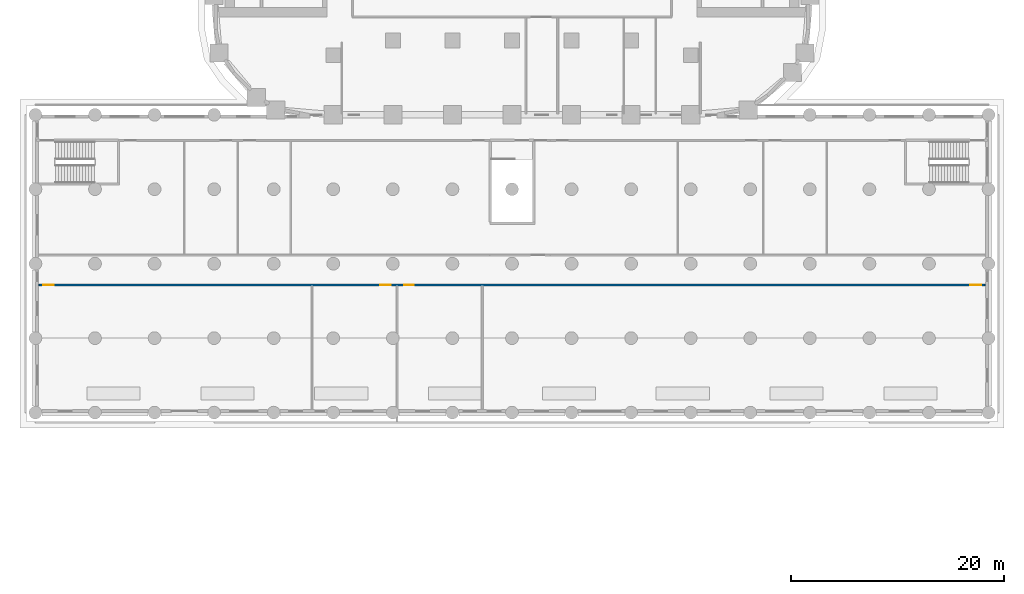
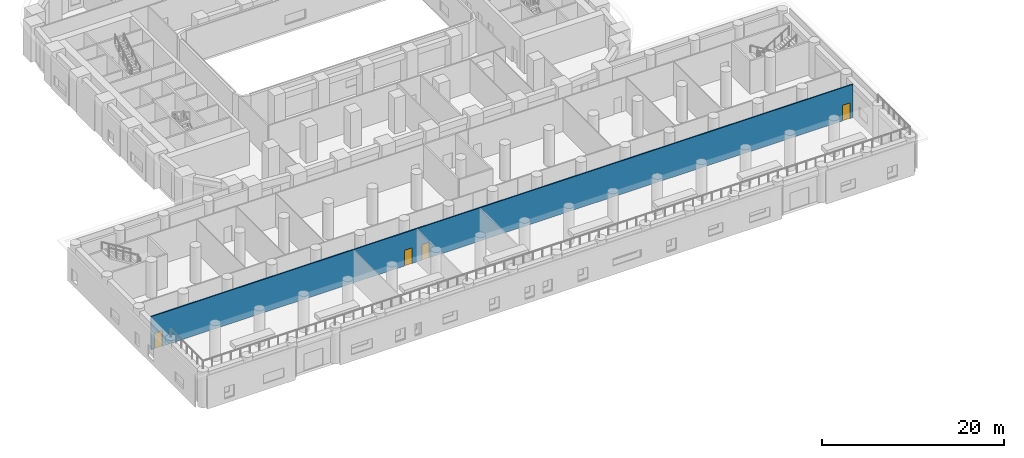
# One storey, part 7 of 24: 4 doors, 1 wall, 4 openings.
"""IFC4 building model written with IfcOpenShell, lengths in metres."""

import ifcopenshell
import ifcopenshell.guid

model = None  # the IFC model being written
_history = None  # IfcOwnerHistory: only IFC2X3 demands one
_inside = {}  # id of a spatial element -> (the spatial element, [elements in it])
_under = {}  # id of a project, library or spatial element -> (it, [spatial elements below it])
_declared = {}  # id of a project -> (the project, [libraries it declares])
_typed = {}  # id of a type object -> (the type object, [elements of that type])
_made_of = {}  # id of a material, layer set ... -> (it, [elements and type objects made of it])


def new_model(schema):
    """Start an empty IFC model of exactly this schema.

    Asked for "IFC4X3", IfcOpenShell would pick the latest addendum, in which some entities
    have other attributes; the version numbers below select the first issue.
    IFC2X3 requires an IfcOwnerHistory on every rooted entity: one is made here for all.
    """
    global model, _history
    if schema == "IFC4X3":
        model = ifcopenshell.file(schema_version=(4, 3, 0, 0))
    else:
        model = ifcopenshell.file(schema=schema)
    _inside.clear()
    _under.clear()
    _declared.clear()
    _typed.clear()
    _made_of.clear()
    _history = None
    if model.schema == "IFC2X3":
        org = make("IfcOrganization", Name="unknown")
        user = make(
            "IfcPersonAndOrganization",
            ThePerson=make("IfcPerson", FamilyName="unknown"),
            TheOrganization=org,
        )
        app = make(
            "IfcApplication",
            ApplicationDeveloper=org,
            Version="unknown",
            ApplicationFullName="unknown",
            ApplicationIdentifier="unknown",
        )
        _history = make(
            "IfcOwnerHistory",
            OwningUser=user,
            OwningApplication=app,
            ChangeAction="ADDED",
            CreationDate=0,
        )
    return model


def make(cls, **values):
    """One entity of the class cls with the attributes given. An attribute that is None is left unset."""
    return model.create_entity(
        cls, **{name: value for name, value in values.items() if value is not None}
    )


def rooted(cls, **values):
    """An entity with a GlobalId (a new one), such as an element, a storey or a relation."""
    return make(cls, GlobalId=ifcopenshell.guid.new(), OwnerHistory=_history, **values)


def si_unit(unit_type, name, prefix=None):
    """IfcSIUnit, for example si_unit("LENGTHUNIT", "METRE", prefix="MILLI")."""
    return make("IfcSIUnit", UnitType=unit_type, Prefix=prefix, Name=name)


def assignment(units):
    """IfcUnitAssignment: the units of a project."""
    return None if units is None else make("IfcUnitAssignment", Units=units)


def point(xyz):
    """IfcCartesianPoint."""
    return None if xyz is None else make("IfcCartesianPoint", Coordinates=xyz)


def direction(xyz):
    """IfcDirection."""
    return None if xyz is None else make("IfcDirection", DirectionRatios=xyz)


def frame(location, z_axis=None, x_axis=None):
    """IfcAxis2Placement3D, a coordinate frame: its origin and axes. An axis left out is left unset."""
    return make(
        "IfcAxis2Placement3D",
        Location=point(location),
        Axis=direction(z_axis),
        RefDirection=direction(x_axis),
    )


def frame_2d(location, x_axis=None):
    """IfcAxis2Placement2D, a coordinate frame in the plane: its origin and x axis."""
    return make(
        "IfcAxis2Placement2D", Location=point(location), RefDirection=direction(x_axis)
    )


def origin():
    """The frame at (0, 0, 0) with its axes left unset."""
    return frame((0.0, 0.0, 0.0))


def place(relative_to, where):
    """IfcLocalPlacement: puts the frame where relative to a parent placement (None: the world)."""
    return make(
        "IfcLocalPlacement", PlacementRelTo=relative_to, RelativePlacement=where
    )


def context(
    kind, dimensions, precision=None, world=None, true_north=None, identifier=None
):
    """IfcGeometricRepresentationContext, for example the 3D "Model" context."""
    return make(
        "IfcGeometricRepresentationContext",
        ContextIdentifier=identifier,
        ContextType=kind,
        CoordinateSpaceDimension=dimensions,
        Precision=precision,
        WorldCoordinateSystem=world,
        TrueNorth=true_north,
    )


def subcontext(parent, identifier, kind, view, scale=None):
    """IfcGeometricRepresentationSubContext, for example "Body" below "Model"."""
    return make(
        "IfcGeometricRepresentationSubContext",
        ContextIdentifier=identifier,
        ContextType=kind,
        ParentContext=parent,
        TargetScale=scale,
        TargetView=view,
    )


def project(units=None, contexts=None):
    """IfcProject with its units and contexts."""
    return rooted(
        "IfcProject",
        Name="project",
        RepresentationContexts=contexts,
        UnitsInContext=assignment(units),
    )


def spatial(cls, under=None, at=None, **own):
    """A site, building, storey or space (cls), placed at a placement, below another one or the project."""
    s = rooted(cls, ObjectPlacement=at, **own)
    if under is not None:
        _under.setdefault(under.id(), (under, []))[1].append(s)
    return s


def profile(cls, at=None, kind="AREA", **sizes):
    """A parametric profile (cls). Its sizes go by their IFC names, for example OverallWidth=200.0."""
    return make(cls, ProfileType=kind, Position=at, **sizes)


def rectangle(**sizes):
    """IfcRectangleProfileDef."""
    return profile("IfcRectangleProfileDef", **sizes)


def extrude(swept, where, along, depth):
    """IfcExtrudedAreaSolid: the profile swept, set in the frame where, extruded along a direction by depth."""
    return make(
        "IfcExtrudedAreaSolid",
        SweptArea=swept,
        Position=where,
        ExtrudedDirection=direction(along),
        Depth=depth,
    )


def shape(context_of_items, identifier, shape_type, items):
    """IfcShapeRepresentation: the items that make up one representation, for example the "Body"."""
    return make(
        "IfcShapeRepresentation",
        ContextOfItems=context_of_items,
        RepresentationIdentifier=identifier,
        RepresentationType=shape_type,
        Items=items,
    )


def material(Name=None, Category=None):
    """IfcMaterial."""
    return make("IfcMaterial", Name=Name, Category=Category)


def layer(
    of_material, thickness, ventilated=None, Name=None, Category=None, Priority=None
):
    """IfcMaterialLayer: one layer of a wall or slab, of a material (None: an air gap)."""
    return make(
        "IfcMaterialLayer",
        Material=of_material,
        LayerThickness=thickness,
        IsVentilated=ventilated,
        Name=Name,
        Category=Category,
        Priority=Priority,
    )


def layer_set(layers, Name=None):
    """IfcMaterialLayerSet."""
    return make("IfcMaterialLayerSet", MaterialLayers=layers, LayerSetName=Name)


def made_of(thing, what):
    """Note that an element or type object is made of a material, layer set ...; save() writes the relation."""
    if what is not None:
        _made_of.setdefault(what.id(), (what, []))[1].append(thing)
    return thing


def type_object(cls, material=None, **own):
    """A type object (cls), such as IfcWallType, which elements share."""
    return made_of(rooted(cls, **own), material)


def element(
    cls,
    number,
    at=None,
    inside=None,
    cuts=None,
    type_object=None,
    material=None,
    context=None,
    identifier="Body",
    shape_type=None,
    held_by="IfcProductDefinitionShape",
    body=None,
    shapes=None,
    **own,
):
    """One element of the class cls, such as IfcWall. Its Tag is "e" and its number.

    at: its placement. inside: the storey or other place that contains it. cuts: it is an
    opening in that element (IfcRelVoidsElement). A single representation is given by context,
    identifier, shape_type and body (its items); several are given by shapes. held_by: the class
    of the entity that holds the representations. save() writes the other relations.
    """
    e = rooted(cls, Tag="e%d" % number, ObjectPlacement=at, **own)
    if body is not None:
        shapes = [shape(context, identifier, shape_type, body)]
    if shapes is not None:
        e.Representation = make(held_by, Representations=shapes)
    if inside is not None:
        _inside.setdefault(inside.id(), (inside, []))[1].append(e)
    if cuts is not None:
        rooted(
            "IfcRelVoidsElement", RelatingBuildingElement=cuts, RelatedOpeningElement=e
        )
    if type_object is not None:
        _typed.setdefault(type_object.id(), (type_object, []))[1].append(e)
    return made_of(e, material)


def fill(opening, filler):
    """IfcRelFillsElement: the door or window that sits in an opening."""
    return rooted(
        "IfcRelFillsElement",
        RelatingOpeningElement=opening,
        RelatedBuildingElement=filler,
    )


def aggregate(whole, parts):
    """IfcRelAggregates: a whole, such as a stair, and the parts it consists of."""
    return rooted("IfcRelAggregates", RelatingObject=whole, RelatedObjects=parts)


def save(model, path):
    """Write the relations noted so far, then the file.

    IfcRelAggregates (storeys below a building ...), IfcRelContainedInSpatialStructure (elements
    in a storey), IfcRelDefinesByType, IfcRelAssociatesMaterial and IfcRelDeclares: one each for
    every whole, place, type object, material and project.
    """
    for whole, parts in _under.values():
        aggregate(whole, parts)
    for where, things in _inside.values():
        rooted(
            "IfcRelContainedInSpatialStructure",
            RelatedElements=things,
            RelatingStructure=where,
        )
    for kind, things in _typed.values():
        rooted("IfcRelDefinesByType", RelatedObjects=things, RelatingType=kind)
    for what, things in _made_of.values():
        rooted("IfcRelAssociatesMaterial", RelatedObjects=things, RelatingMaterial=what)
    for by, libraries in _declared.values():
        rooted("IfcRelDeclares", RelatingContext=by, RelatedDefinitions=libraries)
    model.write(path)


model = new_model("IFC4")

# Units and contexts
model_context = context("Model", 3, precision=1e-05, world=origin(), true_north=direction((0.0, 1.0)))
body_context = subcontext(model_context, "Body", "Model", "MODEL_VIEW")
ifc_project = project(units=[si_unit("LENGTHUNIT", "METRE"), si_unit("AREAUNIT", "SQUARE_METRE"), si_unit("VOLUMEUNIT", "CUBIC_METRE"), si_unit("PLANEANGLEUNIT", "RADIAN"), si_unit("MASSUNIT", "GRAM", prefix="KILO")], contexts=[model_context])

# Site, building, storey
site_placement = place(None, origin())
site = spatial("IfcSite", under=ifc_project, at=site_placement, CompositionType="ELEMENT")
building_placement = place(site_placement, origin())
building = spatial("IfcBuilding", under=site, at=building_placement, Name="Kiln Ring Residences", CompositionType="ELEMENT")
storey_placement = place(building_placement, frame((0.0, 0.0, 11.300048828125)))
storey = spatial("IfcBuildingStorey", under=building, at=storey_placement, Name="L02", CompositionType="ELEMENT", Elevation=11.300048828125)

# Wall, openings, doors
ifc_material_1 = material(Name="Brick masonry partition", Category="masonry")
ifc_layer = layer(ifc_material_1, 0.14990234375)
ifc_layer_set = layer_set([ifc_layer], Name="PARTITION-150-ei60")
wall_type = type_object("IfcWallType", Name="PARTITION-150-ei60", PredefinedType="PARTITIONING", material=ifc_layer_set)
wall_placement = place(storey_placement, frame((-44.47998046875, -38.39990234375, 0.0), z_axis=(0.0, 0.0, 1.0), x_axis=(1.0, 0.0, 0.0)))
wall = element("IfcWall", 1, at=wall_placement, inside=storey, type_object=wall_type, Name="Partition 000", PredefinedType="PARTITIONING", context=body_context, shape_type="SweptSolid", body=[
    extrude(rectangle(XDim=88.9599609375, YDim=0.14990234375, at=frame_2d((44.47998046875, 0.0))), origin(), (0.0, 0.0, 1.0), 4.449951171875),
])
opening_1_placement = place(wall_placement, frame((0.419921875, 0.0, 0.0)))
opening_1 = element("IfcOpeningElement", 2, at=opening_1_placement, cuts=wall, Name="Opening L02-D019", PredefinedType="OPENING", context=body_context, shape_type="SweptSolid", body=[
    extrude(rectangle(XDim=1.0, YDim=2.10009765625, at=frame_2d((0.5, 1.050048828125))), frame((0.0, 0.0849609375, 0.0), z_axis=(0.0, -1.0, 0.0), x_axis=(1.0, 0.0, 0.0)), (0.0, 0.0, 1.0), 0.169921875),
])
opening_2_placement = place(wall_placement, frame((32.080078125, 0.0, 0.0)))
opening_2 = element("IfcOpeningElement", 3, at=opening_2_placement, cuts=wall, Name="Opening L02-D020", PredefinedType="OPENING", context=body_context, shape_type="SweptSolid", body=[
    extrude(rectangle(XDim=1.0, YDim=2.10009765625, at=frame_2d((0.5, 1.050048828125))), frame((0.0, 0.0849609375, 0.0), z_axis=(0.0, -1.0, 0.0), x_axis=(1.0, 0.0, 0.0)), (0.0, 0.0, 1.0), 0.169921875),
])
opening_3_placement = place(wall_placement, frame((34.330078125, 0.0, 0.0)))
opening_3 = element("IfcOpeningElement", 4, at=opening_3_placement, cuts=wall, Name="Opening L02-D021", PredefinedType="OPENING", context=body_context, shape_type="SweptSolid", body=[
    extrude(rectangle(XDim=0.89990234375, YDim=2.10009765625, at=frame_2d((0.449951171875, 1.050048828125))), frame((0.0, 0.0849609375, 0.0), z_axis=(0.0, -1.0, 0.0), x_axis=(1.0, 0.0, 0.0)), (0.0, 0.0, 1.0), 0.169921875),
])
opening_4_placement = place(wall_placement, frame((87.580078125, 0.0, 0.0)))
opening_4 = element("IfcOpeningElement", 5, at=opening_4_placement, cuts=wall, Name="Opening L02-D022", PredefinedType="OPENING", context=body_context, shape_type="SweptSolid", body=[
    extrude(rectangle(XDim=1.0, YDim=2.10009765625, at=frame_2d((0.5, 1.050048828125))), frame((0.0, 0.0849609375, 0.0), z_axis=(0.0, -1.0, 0.0), x_axis=(1.0, 0.0, 0.0)), (0.0, 0.0, 1.0), 0.169921875),
])
ifc_material_2 = material(Name="Steel faced fire door leaf", Category="steel")
door_type_1 = type_object("IfcDoorType", Name="FLAT-DOOR-1000-FR", OperationType="SINGLE_SWING_LEFT", PredefinedType="DOOR", material=ifc_material_2)
door_1_placement = place(opening_1_placement, origin())
door_1 = element("IfcDoor", 6, at=door_1_placement, inside=storey, type_object=door_type_1, Name="Door L02-D019", OperationType="SINGLE_SWING_LEFT", OverallHeight=2.10009765625, OverallWidth=1.0, PredefinedType="DOOR", context=body_context, shape_type="SweptSolid", body=[
    extrude(rectangle(XDim=1.0, YDim=2.10009765625, at=frame_2d((0.5, 1.050048828125))), frame((0.0, 0.02490234375, 0.0), z_axis=(0.0, -1.0, 0.0), x_axis=(1.0, 0.0, 0.0)), (0.0, 0.0, 1.0), 0.050048828125),
])
fill(opening_1, door_1)
door_2_placement = place(opening_2_placement, origin())
door_2 = element("IfcDoor", 7, at=door_2_placement, inside=storey, type_object=door_type_1, Name="Door L02-D020", OperationType="SINGLE_SWING_RIGHT", OverallHeight=2.10009765625, OverallWidth=1.0, PredefinedType="DOOR", context=body_context, shape_type="SweptSolid", body=[
    extrude(rectangle(XDim=1.0, YDim=2.10009765625, at=frame_2d((0.5, 1.050048828125))), frame((0.0, 0.02490234375, 0.0), z_axis=(0.0, -1.0, 0.0), x_axis=(1.0, 0.0, 0.0)), (0.0, 0.0, 1.0), 0.050048828125),
])
fill(opening_2, door_2)
door_3_placement = place(opening_4_placement, origin())
door_3 = element("IfcDoor", 8, at=door_3_placement, inside=storey, type_object=door_type_1, Name="Door L02-D022", OperationType="SINGLE_SWING_RIGHT", OverallHeight=2.10009765625, OverallWidth=1.0, PredefinedType="DOOR", context=body_context, shape_type="SweptSolid", body=[
    extrude(rectangle(XDim=1.0, YDim=2.10009765625, at=frame_2d((0.5, 1.050048828125))), frame((0.0, 0.02490234375, 0.0), z_axis=(0.0, -1.0, 0.0), x_axis=(1.0, 0.0, 0.0)), (0.0, 0.0, 1.0), 0.050048828125),
])
fill(opening_4, door_3)
ifc_material_3 = material(Name="Steel faced fire door leaf", Category="steel")
door_type_2 = type_object("IfcDoorType", Name="FLAT-DOOR-900-FR", OperationType="SINGLE_SWING_LEFT", PredefinedType="DOOR", material=ifc_material_3)
door_4_placement = place(opening_3_placement, origin())
door_4 = element("IfcDoor", 9, at=door_4_placement, inside=storey, type_object=door_type_2, Name="Door L02-D021", OperationType="SINGLE_SWING_LEFT", OverallHeight=2.10009765625, OverallWidth=0.89990234375, PredefinedType="DOOR", context=body_context, shape_type="SweptSolid", body=[
    extrude(rectangle(XDim=0.89990234375, YDim=2.10009765625, at=frame_2d((0.449951171875, 1.050048828125))), frame((0.0, 0.02490234375, 0.0), z_axis=(0.0, -1.0, 0.0), x_axis=(1.0, 0.0, 0.0)), (0.0, 0.0, 1.0), 0.050048828125),
])
fill(opening_3, door_4)

save(model, "model.ifc")
